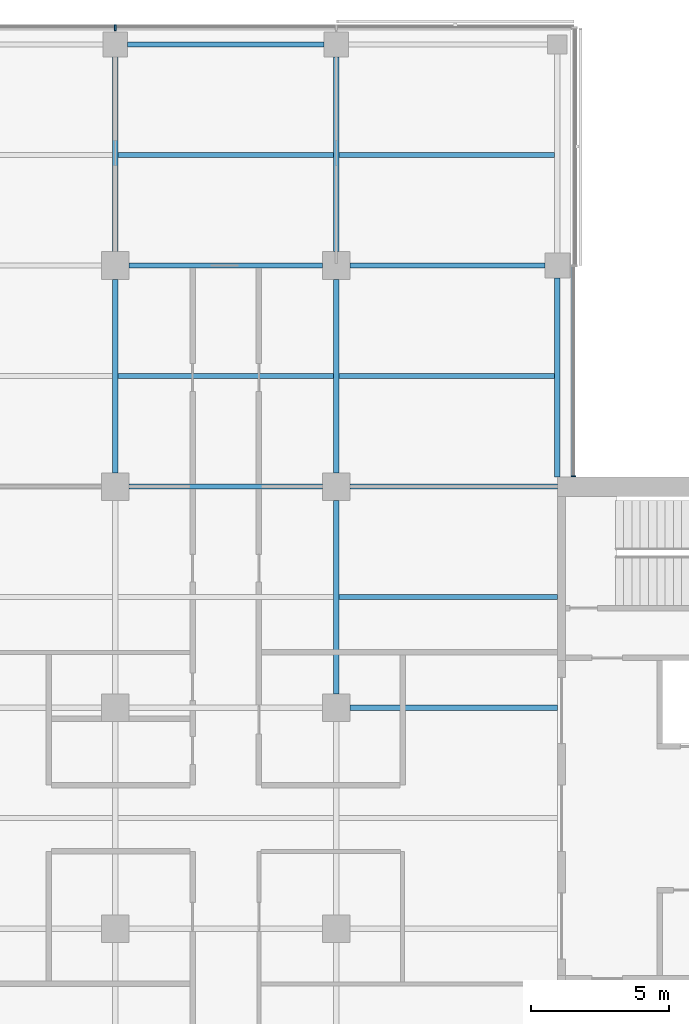
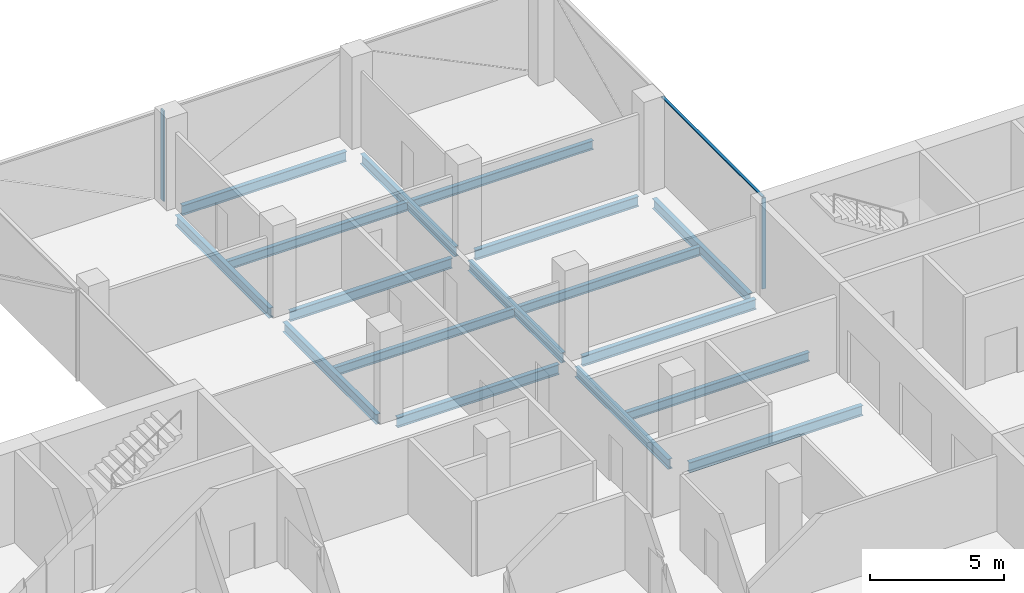
# One storey, part 9 of 22: 17 beams, 3 members, 2 elements without a shape of their own.
"""IFC4 building model written with IfcOpenShell, lengths in metres."""

from ifc_helpers import new_model, si_unit, direction, frame, origin, origin_2d, place, context, subcontext, project, spatial, rectangle, i_section, extrude, material, material_profile, profile_set, type_object, element, aggregate, save


model = new_model("IFC4")

# Units and contexts
model_context = context("Model", 3, precision=1e-05, world=origin(), true_north=direction((0.0, 1.0)))
body_context = subcontext(model_context, "Body", "Model", "MODEL_VIEW")
ifc_project = project(units=[si_unit("LENGTHUNIT", "METRE"), si_unit("AREAUNIT", "SQUARE_METRE"), si_unit("VOLUMEUNIT", "CUBIC_METRE"), si_unit("PLANEANGLEUNIT", "RADIAN"), si_unit("MASSUNIT", "GRAM", prefix="KILO")], contexts=[model_context])

# Site, building, storey
site_placement = place(None, origin())
site = spatial("IfcSite", under=ifc_project, at=site_placement, CompositionType="ELEMENT")
building_placement = place(site_placement, origin())
building = spatial("IfcBuilding", under=site, at=building_placement, Name="Crosswind Convention Tower", CompositionType="ELEMENT")
storey_placement = place(building_placement, frame((0.0, 0.0, 137.89990234375)))
storey = spatial("IfcBuildingStorey", under=building, at=storey_placement, Name="L28", CompositionType="ELEMENT", Elevation=137.89990234375)

# Beams
ifc_material_1 = material(Name="Steel S355", Category="steel")
ifc_material_profile_1 = material_profile(ifc_material_1, i_section(OverallWidth=0.18994140625, OverallDepth=0.45361328125, WebThickness=0.008544921875, FlangeThickness=0.0126953125, FilletRadius=0.01025390625, at=origin_2d()), Name="UB 457x191x67")
ifc_profile_set_1 = profile_set([ifc_material_profile_1], Name="Steel S355")
beam_type_1 = type_object("IfcBeamType", Name="Edge beam UB 457x191x67", PredefinedType="SPANDREL", material=ifc_profile_set_1)
beam_1_placement = place(storey_placement, frame((121.449951171875, 128.0, -0.526611328125), z_axis=(1.0, 0.0, 0.0), x_axis=(0.0, 1.0, 0.0)))
element("IfcBeam", 1, at=beam_1_placement, inside=storey, type_object=beam_type_1, Name="B16 L28 edge beam 13", PredefinedType="SPANDREL", context=body_context, shape_type="SweptSolid", body=[
    extrude(i_section(OverallWidth=0.18994140625, OverallDepth=0.45361328125, WebThickness=0.008544921875, FlangeThickness=0.0126953125, FilletRadius=0.01025390625, at=origin_2d()), origin(), (0.0, 0.0, 1.0), 7.10009765625),
])
beam_2_placement = place(storey_placement, frame((137.0, 112.35009765625, -0.526611328125), z_axis=(0.0, 1.0, 0.0), x_axis=(-1.0, 0.0, 0.0)))
element("IfcBeam", 2, at=beam_2_placement, inside=storey, type_object=beam_type_1, Name="B16 L28 edge beam 18", PredefinedType="SPANDREL", context=body_context, shape_type="SweptSolid", body=[
    extrude(i_section(OverallWidth=0.18994140625, OverallDepth=0.45361328125, WebThickness=0.008544921875, FlangeThickness=0.0126953125, FilletRadius=0.01025390625, at=origin_2d()), origin(), (0.0, 0.0, 1.0), 7.199951171875),
])
ifc_material_profile_2 = material_profile(ifc_material_1, i_section(OverallWidth=0.19140625, OverallDepth=0.460205078125, WebThickness=0.010009765625, FlangeThickness=0.01611328125, FilletRadius=0.01025390625, at=origin_2d()), Name="UB 457x191x82")
ifc_profile_set_2 = profile_set([ifc_material_profile_2], Name="Steel S355")
beam_type_2 = type_object("IfcBeamType", Name="Girder UB 457x191x82", PredefinedType="BEAM", material=ifc_profile_set_2)
beam_3_placement = place(storey_placement, frame((121.0, 112.5, -0.530029296875), z_axis=(0.0, 1.0, 0.0), x_axis=(-1.0, 0.0, 0.0)))
element("IfcBeam", 3, at=beam_3_placement, inside=storey, type_object=beam_type_2, Name="B3 L28 girder 8", PredefinedType="BEAM", context=body_context, shape_type="SweptSolid", body=[
    extrude(i_section(OverallWidth=0.19140625, OverallDepth=0.460205078125, WebThickness=0.010009765625, FlangeThickness=0.01611328125, FilletRadius=0.01025390625, at=origin_2d()), origin(), (0.0, 0.0, 1.0), 7.0),
])
beam_4_placement = place(storey_placement, frame((121.0, 120.5, -0.530029296875), z_axis=(0.0, 1.0, 0.0), x_axis=(-1.0, 0.0, 0.0)))
element("IfcBeam", 4, at=beam_4_placement, inside=storey, type_object=beam_type_2, Name="B3 L28 girder 9", PredefinedType="BEAM", context=body_context, shape_type="SweptSolid", body=[
    extrude(i_section(OverallWidth=0.19140625, OverallDepth=0.460205078125, WebThickness=0.010009765625, FlangeThickness=0.01611328125, FilletRadius=0.01025390625, at=origin_2d()), origin(), (0.0, 0.0, 1.0), 7.050048828125),
])
for number, where, z_axis, x_axis, name in (
    (5, (121.5, 112.0, -0.530029296875), (1.0, 0.0, 0.0), (0.0, 1.0, 0.0), "B3 L28 girder 14"),
    (6, (121.5, 120.0, -0.530029296875), (1.0, 0.0, 0.0), (0.0, 1.0, 0.0), "B3 L28 girder 15"),
    (7, (129.0, 104.5, -0.530029296875), (0.0, 1.0, 0.0), (-1.0, 0.0, 0.0), "B3 L28 girder 20"),
    (8, (129.0, 112.5, -0.530029296875), (0.0, 1.0, 0.0), (-1.0, 0.0, 0.0), "B3 L28 girder 21"),
):
    element("IfcBeam", number, at=place(storey_placement, frame(where, z_axis=z_axis, x_axis=x_axis)), inside=storey, type_object=beam_type_2, Name=name, PredefinedType="BEAM", context=body_context, shape_type="SweptSolid", body=[
        extrude(i_section(OverallWidth=0.19140625, OverallDepth=0.460205078125, WebThickness=0.010009765625, FlangeThickness=0.01611328125, FilletRadius=0.01025390625, at=origin_2d()), origin(), (0.0, 0.0, 1.0), 7.0),
    ])
for number, where, z_axis, x_axis, name in (
    (9, (129.0, 120.5, -0.530029296875), (0.0, 1.0, 0.0), (-1.0, 0.0, 0.0), "B3 L28 girder 22"),
    (10, (129.5, 120.0, -0.530029296875), (1.0, 0.0, 0.0), (0.0, 1.0, 0.0), "B3 L28 girder 24"),
):
    element("IfcBeam", number, at=place(storey_placement, frame(where, z_axis=z_axis, x_axis=x_axis)), inside=storey, type_object=beam_type_2, Name=name, PredefinedType="BEAM", context=body_context, shape_type="SweptSolid", body=[
        extrude(i_section(OverallWidth=0.19140625, OverallDepth=0.460205078125, WebThickness=0.010009765625, FlangeThickness=0.01611328125, FilletRadius=0.01025390625, at=origin_2d()), origin(), (0.0, 0.0, 1.0), 7.050048828125),
    ])
ifc_material_profile_3 = material_profile(ifc_material_1, i_section(OverallWidth=0.19189453125, OverallDepth=0.463623046875, WebThickness=0.010498046875, FlangeThickness=0.017578125, FilletRadius=0.01025390625, at=origin_2d()), Name="UB 457x191x90")
ifc_profile_set_3 = profile_set([ifc_material_profile_3], Name="Steel S355")
beam_type_3 = type_object("IfcBeamType", Name="Girder at core wall UB 457x191x90", PredefinedType="BEAM", material=ifc_profile_set_3)
for number, where, z_axis, x_axis, name in (
    (11, (129.5, 104.0, -0.53173828125), (1.0, 0.0, 0.0), (0.0, 1.0, 0.0), "B24 L28 girder at core wall 9"),
    (12, (129.5, 112.0, -0.53173828125), (1.0, 0.0, 0.0), (0.0, 1.0, 0.0), "B24 L28 girder at core wall 10"),
):
    element("IfcBeam", number, at=place(storey_placement, frame(where, z_axis=z_axis, x_axis=x_axis)), inside=storey, type_object=beam_type_3, Name=name, PredefinedType="BEAM", context=body_context, shape_type="SweptSolid", body=[
        extrude(i_section(OverallWidth=0.19189453125, OverallDepth=0.463623046875, WebThickness=0.010498046875, FlangeThickness=0.017578125, FilletRadius=0.01025390625, at=origin_2d()), origin(), (0.0, 0.0, 1.0), 7.5),
    ])

# Curtain wall, member
ifc_material_2 = material(Name="Aluminium unitised curtain wall", Category="aluminium")
curtain_wall_type_1 = type_object("IfcCurtainWallType", Name="CORE END SLOT WALL 160", PredefinedType="USERDEFINED", material=ifc_material_2)
curtain_wall_1_placement = place(storey_placement, origin())
curtain_wall_1 = element("IfcCurtainWall", 13, at=curtain_wall_1_placement, inside=storey, type_object=curtain_wall_type_1, Name="CW6 L28 N-E.1-1 slot", ObjectType="UNITISED", PredefinedType="USERDEFINED")
ifc_material_3 = material(Name="Aluminium mullion", Category="aluminium")
ifc_material_profile_4 = material_profile(ifc_material_3, rectangle(XDim=0.159912109375, YDim=0.050048828125, at=origin_2d()), Name="AL 160X50")
ifc_profile_set_4 = profile_set([ifc_material_profile_4], Name="Aluminium mullion")
member_type_1 = type_object("IfcMemberType", Name="MULLION 50X160", PredefinedType="MULLION", material=ifc_profile_set_4)
member_1_placement = place(storey_placement, frame((137.580078125, 112.375, -0.2998046875), z_axis=(0.0, 0.0, 1.0), x_axis=(1.0, 0.0, 0.0)))
member_1 = element("IfcMember", 14, at=member_1_placement, type_object=member_type_1, Name="CW6 mullion 1", PredefinedType="MULLION", context=body_context, shape_type="SweptSolid", body=[
    extrude(rectangle(XDim=0.159912109375, YDim=0.050048828125, at=origin_2d()), origin(), (0.0, 0.0, 1.0), 4.14990234375),
])

curtain_wall_type_2 = type_object("IfcCurtainWallType", Name="OFFICE UNITISED WALL 220", PredefinedType="USERDEFINED", material=ifc_material_2)
curtain_wall_2_placement = place(storey_placement, origin())
curtain_wall_2 = element("IfcCurtainWall", 15, at=curtain_wall_2_placement, inside=storey, type_object=curtain_wall_type_2, Name="CW3 L28 N-TIP 1", ObjectType="UNITISED", PredefinedType="USERDEFINED")
ifc_material_profile_5 = material_profile(ifc_material_3, rectangle(XDim=0.219970703125, YDim=0.070068359375, at=origin_2d()), Name="AL 220X70")
ifc_profile_set_5 = profile_set([ifc_material_profile_5], Name="Aluminium mullion")
member_type_2 = type_object("IfcMemberType", Name="MULLION 70X220", PredefinedType="MULLION", material=ifc_profile_set_5)
member_2_placement = place(storey_placement, frame((121.0, 128.610107421875, -0.2998046875), z_axis=(0.0, 0.0, 1.0), x_axis=(0.0, 1.0, 0.0)))
member_2 = element("IfcMember", 16, at=member_2_placement, type_object=member_type_2, Name="CW3 mullion 3", PredefinedType="MULLION", context=body_context, shape_type="SweptSolid", body=[
    extrude(rectangle(XDim=0.219970703125, YDim=0.070068359375, at=origin_2d()), origin(), (0.0, 0.0, 1.0), 4.1298828125),
])
aggregate(curtain_wall_2, [member_2])

# Beams
ifc_material_profile_6 = material_profile(ifc_material_1, i_section(OverallWidth=0.177734375, OverallDepth=0.406494140625, WebThickness=0.0078125, FlangeThickness=0.0126953125, FilletRadius=0.01025390625, at=origin_2d()), Name="UB 406x178x60")
ifc_profile_set_6 = profile_set([ifc_material_profile_6], Name="Steel S355")
beam_type_4 = type_object("IfcBeamType", Name="Secondary beam UB 406x178x60", PredefinedType="JOIST", material=ifc_profile_set_6)
for number, where, z_axis, x_axis, name in (
    (17, (121.095703125, 116.0, -0.503173828125), (1.0, 0.0, 0.0), (0.0, 1.0, 0.0), "B10 L28 secondary beam 16"),
    (18, (121.095703125, 124.0, -0.503173828125), (1.0, 0.0, 0.0), (0.0, 1.0, 0.0), "B10 L28 secondary beam 17"),
):
    element("IfcBeam", number, at=place(storey_placement, frame(where, z_axis=z_axis, x_axis=x_axis)), inside=storey, type_object=beam_type_4, Name=name, PredefinedType="JOIST", context=body_context, shape_type="SweptSolid", body=[
        extrude(i_section(OverallWidth=0.177734375, OverallDepth=0.406494140625, WebThickness=0.0078125, FlangeThickness=0.0126953125, FilletRadius=0.01025390625, at=origin_2d()), origin(), (0.0, 0.0, 1.0), 7.80859375),
    ])
beam_5_placement = place(storey_placement, frame((129.095703125, 108.0, -0.503173828125), z_axis=(1.0, 0.0, 0.0), x_axis=(0.0, 1.0, 0.0)))
element("IfcBeam", 19, at=beam_5_placement, inside=storey, type_object=beam_type_4, Name="B10 L28 secondary beam 22", PredefinedType="JOIST", context=body_context, shape_type="SweptSolid", body=[
    extrude(i_section(OverallWidth=0.177734375, OverallDepth=0.406494140625, WebThickness=0.0078125, FlangeThickness=0.0126953125, FilletRadius=0.01025390625, at=origin_2d()), origin(), (0.0, 0.0, 1.0), 7.904296875),
])
for number, where, z_axis, x_axis, name in (
    (20, (129.095703125, 116.0, -0.503173828125), (1.0, 0.0, 0.0), (0.0, 1.0, 0.0), "B10 L28 secondary beam 23"),
    (21, (129.095703125, 124.0, -0.503173828125), (1.0, 0.0, 0.0), (0.0, 1.0, 0.0), "B10 L28 secondary beam 24"),
):
    element("IfcBeam", number, at=place(storey_placement, frame(where, z_axis=z_axis, x_axis=x_axis)), inside=storey, type_object=beam_type_4, Name=name, PredefinedType="JOIST", context=body_context, shape_type="SweptSolid", body=[
        extrude(i_section(OverallWidth=0.177734375, OverallDepth=0.406494140625, WebThickness=0.0078125, FlangeThickness=0.0126953125, FilletRadius=0.01025390625, at=origin_2d()), origin(), (0.0, 0.0, 1.0), 7.809326171875),
    ])

# Member
ifc_material_4 = material(Name="Aluminium transom", Category="aluminium")
ifc_material_profile_7 = material_profile(ifc_material_4, rectangle(XDim=0.1201171875, YDim=0.050048828125, at=origin_2d()), Name="AL 120X50")
ifc_profile_set_7 = profile_set([ifc_material_profile_7], Name="Aluminium transom")
member_type_3 = type_object("IfcMemberType", Name="TRANSOM 50X120", PredefinedType="USERDEFINED", material=ifc_profile_set_7)
member_3_placement = place(storey_placement, frame((137.580078125, 112.39990234375, 3.875), z_axis=(0.0, 1.0, 0.0), x_axis=(-1.0, 0.0, 0.0)))
member_3 = element("IfcMember", 22, at=member_3_placement, type_object=member_type_3, Name="CW6 transom", ObjectType="TRANSOM", PredefinedType="USERDEFINED", context=body_context, shape_type="SweptSolid", body=[
    extrude(rectangle(XDim=0.1201171875, YDim=0.050048828125, at=origin_2d()), origin(), (0.0, 0.0, 1.0), 7.550048828125),
])

aggregate(curtain_wall_1, [member_1, member_3])

save(model, "model.ifc")
